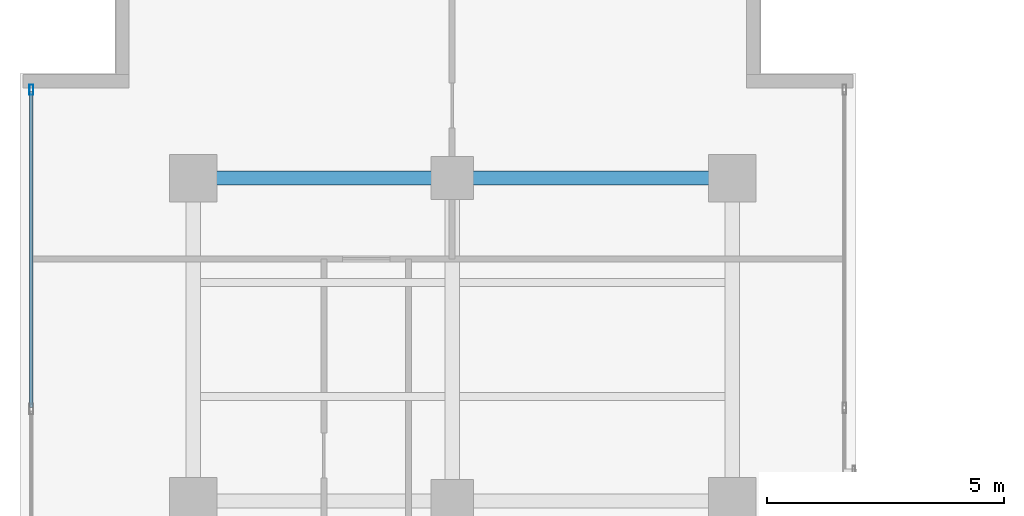
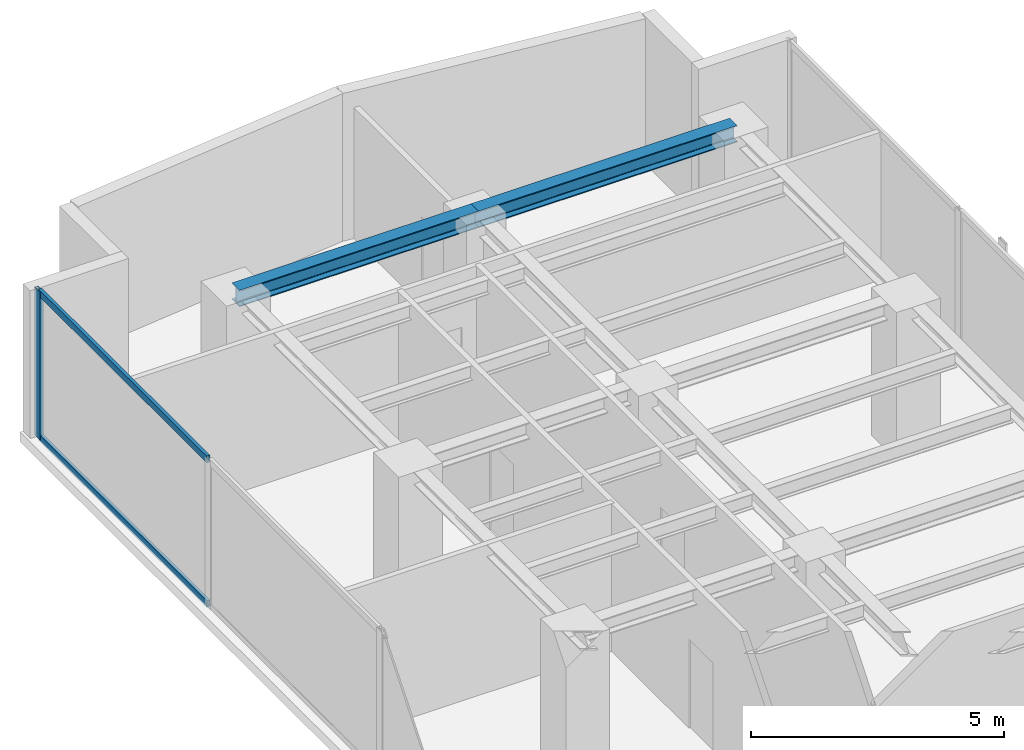
# One storey, part 13 of 23: 3 members, 2 beams, 1 element without a shape of its own.
"""IFC4 building model written with IfcOpenShell, lengths in metres."""

from ifc_helpers import new_model, si_unit, direction, frame, origin, origin_with_axes, origin_2d, place, context, subcontext, project, spatial, hollow_rectangle, i_section, extrude, source, transform, mapped, material, layer, layer_set, material_profile, profile_set, type_object, element, aggregate, save


model = new_model("IFC4")

# Units and contexts
model_context = context("Model", 3, precision=1e-05, world=origin(), true_north=direction((0.0, 1.0)))
body_context = subcontext(model_context, "Body", "Model", "MODEL_VIEW")
ifc_project = project(units=[si_unit("LENGTHUNIT", "METRE"), si_unit("AREAUNIT", "SQUARE_METRE"), si_unit("VOLUMEUNIT", "CUBIC_METRE"), si_unit("PLANEANGLEUNIT", "RADIAN"), si_unit("MASSUNIT", "GRAM", prefix="KILO")], contexts=[model_context])

# Site, building, storey
site_placement = place(None, origin())
site = spatial("IfcSite", under=ifc_project, at=site_placement, CompositionType="ELEMENT")
building_placement = place(site_placement, origin())
building = spatial("IfcBuilding", under=site, at=building_placement, Name="Kolvaren Waterfront Exchange", CompositionType="ELEMENT")
storey_placement = place(building_placement, frame((0.0, 0.0, 242.5)))
storey = spatial("IfcBuildingStorey", under=building, at=storey_placement, Name="L62", CompositionType="ELEMENT", Elevation=242.5)

# Beams
ifc_material_1 = material(Name="Steel S355", Category="steel")
ifc_material_profile_1 = material_profile(ifc_material_1, i_section(OverallWidth=0.300048828125, OverallDepth=0.39990234375, WebThickness=0.013427734375, FlangeThickness=0.02392578125, FilletRadius=0.027099609375, at=origin_2d()), Name="HEB400")
ifc_profile_set_1 = profile_set([ifc_material_profile_1], Name="Steel S355")
beam_type = type_object("IfcBeamType", Name="STR-BM-HEB400", PredefinedType="BEAM", material=ifc_profile_set_1)
beam_1_placement = place(storey_placement, frame((7.449951171875, 44.60009765625, 3.360107421875), z_axis=(1.0, 0.0, 0.0), x_axis=(0.0, 1.0, 0.0)))
element("IfcBeam", 1, at=beam_1_placement, inside=storey, type_object=beam_type, Name="L62 north-arm girder 4A", PredefinedType="BEAM", context=body_context, shape_type="SweptSolid", body=[
    extrude(i_section(OverallWidth=0.300048828125, OverallDepth=0.39990234375, WebThickness=0.013427734375, FlangeThickness=0.02392578125, FilletRadius=0.027099609375, at=origin_2d()), origin(), (0.0, 0.0, 1.0), 5.449951171875),
])
beam_2_placement = place(storey_placement, frame((12.89990234375, 44.60009765625, 3.360107421875), z_axis=(1.0, 0.0, 0.0), x_axis=(0.0, 1.0, 0.0)))
element("IfcBeam", 2, at=beam_2_placement, inside=storey, type_object=beam_type, Name="L62 north-arm girder 4B", PredefinedType="BEAM", context=body_context, shape_type="SweptSolid", body=[
    extrude(i_section(OverallWidth=0.300048828125, OverallDepth=0.39990234375, WebThickness=0.013427734375, FlangeThickness=0.02392578125, FilletRadius=0.027099609375, at=origin_2d()), origin(), (0.0, 0.0, 1.0), 5.900146484375),
])

# Curtain wall, members
ifc_material_2 = material(Name="Anodised aluminium 6063-T6", Category="aluminium")
ifc_layer = layer(ifc_material_2, 0.219970703125, Name="Anodised aluminium 6063-T6")
ifc_layer_set = layer_set([ifc_layer], Name="Anodised aluminium 6063-T6")
curtain_wall_type = type_object("IfcCurtainWallType", Name="ARC-CW-SYS2", PredefinedType="USERDEFINED", material=ifc_layer_set)
curtain_wall_placement = place(storey_placement, origin())
curtain_wall = element("IfcCurtainWall", 3, at=curtain_wall_placement, inside=storey, type_object=curtain_wall_type, Name="L62 stick curtain wall CW2 (CW-L62-W)", ObjectType="STICK CURTAIN WALL", PredefinedType="USERDEFINED")
ifc_material_profile_2 = material_profile(ifc_material_2, hollow_rectangle(XDim=0.080078125, YDim=0.219970703125, WallThickness=0.0048828125, at=origin_2d()), Name="ALU-MUL-220x80x5")
ifc_profile_set_2 = profile_set([ifc_material_profile_2], Name="Anodised aluminium 6063-T6")
member_type_1 = type_object("IfcMemberType", Name="ARC-CWM-220", PredefinedType="MULLION", material=ifc_profile_set_2)
shared_shape_1 = source(origin_with_axes(), body_context, "Body", "SweptSolid", [
    extrude(hollow_rectangle(XDim=0.080078125, YDim=0.219970703125, WallThickness=0.0048828125, at=origin_2d()), origin(), (0.0, 0.0, 1.0), 3.56005859375),
])
member_1_placement = place(storey_placement, frame((4.0400390625, 46.4599609375, 0.0), z_axis=(0.0, 0.0, 1.0), x_axis=(-1.0, 0.0, 0.0)))
member_1 = element("IfcMember", 4, at=member_1_placement, type_object=member_type_1, Name="CW2 mullion 7", PredefinedType="MULLION", context=body_context, shape_type="MappedRepresentation", body=[
    mapped(shared_shape_1, transform((0.0, 0.0, 0.0), x_axis=(1.0, 0.0, 0.0), y_axis=(0.0, 1.0, 0.0), z_axis=(0.0, 0.0, 1.0), scale=1.0)),
])
ifc_material_profile_3 = material_profile(ifc_material_2, hollow_rectangle(XDim=0.074951171875, YDim=0.159912109375, WallThickness=0.00439453125, at=origin_2d()), Name="ALU-TRN-160x75x4.5")
ifc_profile_set_3 = profile_set([ifc_material_profile_3], Name="Anodised aluminium 6063-T6")
member_type_2 = type_object("IfcMemberType", Name="ARC-CWT-160", PredefinedType="USERDEFINED", material=ifc_profile_set_3)
shared_shape_2 = source(origin_with_axes(), body_context, "Body", "SweptSolid", [
    extrude(hollow_rectangle(XDim=0.074951171875, YDim=0.159912109375, WallThickness=0.00439453125, at=origin_2d()), origin(), (0.0, 0.0, 1.0), 6.646484375),
])
member_2_placement = place(storey_placement, frame((4.0400390625, 39.7734375, 0.03759765625), z_axis=(0.0, 1.0, 0.0), x_axis=(-1.0, 0.0, 0.0)))
member_2 = element("IfcMember", 5, at=member_2_placement, type_object=member_type_2, Name="CW2 transom 6.1", ObjectType="TRANSOM", PredefinedType="USERDEFINED", context=body_context, shape_type="MappedRepresentation", body=[
    mapped(shared_shape_2, transform((0.0, 0.0, 0.0), x_axis=(1.0, 0.0, 0.0), y_axis=(0.0, 1.0, 0.0), z_axis=(0.0, 0.0, 1.0), scale=1.0)),
])
member_3_placement = place(storey_placement, frame((4.0400390625, 39.7734375, 3.5224609375), z_axis=(0.0, 1.0, 0.0), x_axis=(-1.0, 0.0, 0.0)))
member_3 = element("IfcMember", 6, at=member_3_placement, type_object=member_type_2, Name="CW2 transom 6.2", ObjectType="TRANSOM", PredefinedType="USERDEFINED", context=body_context, shape_type="MappedRepresentation", body=[
    mapped(shared_shape_2, transform((0.0, 0.0, 0.0), x_axis=(1.0, 0.0, 0.0), y_axis=(0.0, 1.0, 0.0), z_axis=(0.0, 0.0, 1.0), scale=1.0)),
])
aggregate(curtain_wall, [member_1, member_2, member_3])

save(model, "model.ifc")
